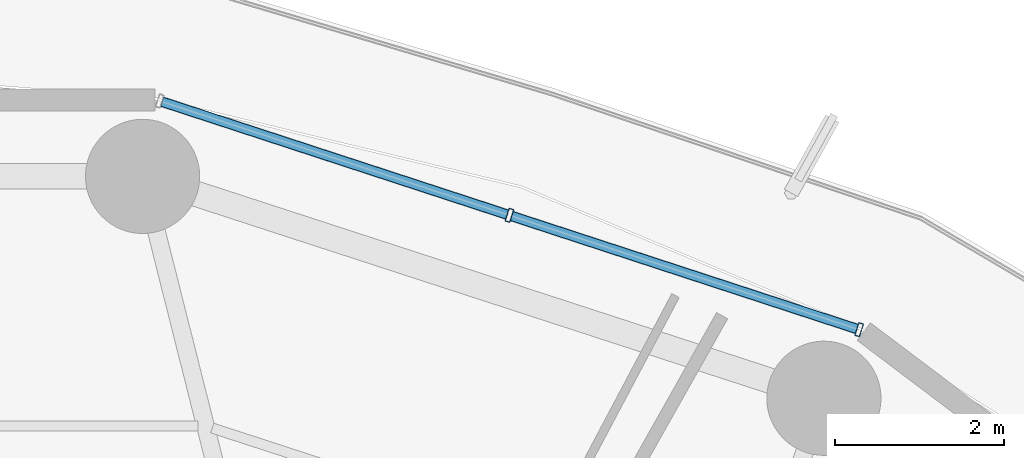
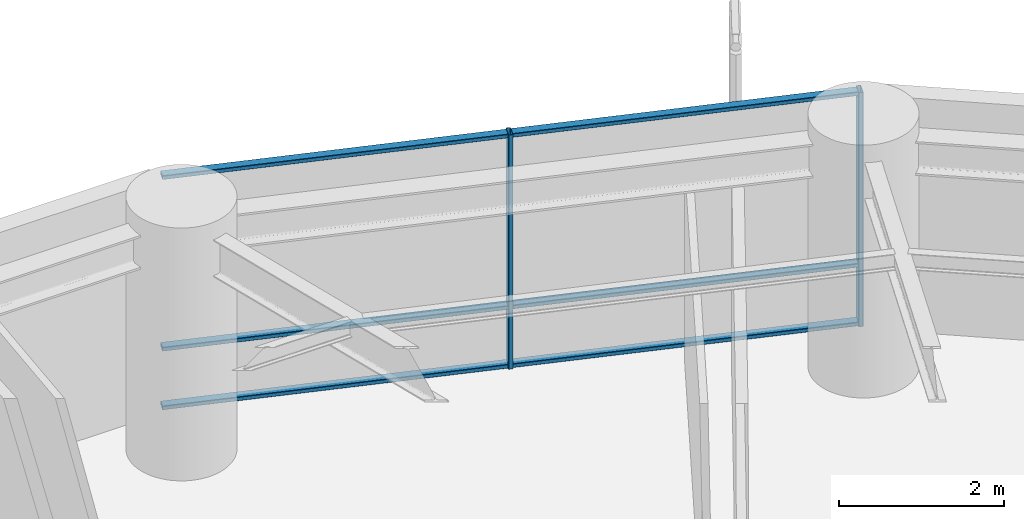
# One storey, part 25 of 37: 8 members, 1 element without a shape of its own.
"""IFC4 building model written with IfcOpenShell, lengths in metres."""

from ifc_helpers import new_model, si_unit, direction, frame, origin, origin_2d, place, context, subcontext, project, spatial, hollow_rectangle, extrude, material, layer, layer_set, material_profile, profile_set, type_object, element, aggregate, save


model = new_model("IFC4")

# Units and contexts
model_context = context("Model", 3, precision=1e-05, world=origin(), true_north=direction((0.0, 1.0)))
body_context = subcontext(model_context, "Body", "Model", "MODEL_VIEW")
ifc_project = project(units=[si_unit("LENGTHUNIT", "METRE"), si_unit("AREAUNIT", "SQUARE_METRE"), si_unit("VOLUMEUNIT", "CUBIC_METRE"), si_unit("PLANEANGLEUNIT", "RADIAN"), si_unit("MASSUNIT", "GRAM", prefix="KILO")], contexts=[model_context])

# Site, building, storey
site_placement = place(None, origin())
site = spatial("IfcSite", under=ifc_project, at=site_placement, CompositionType="ELEMENT")
building_placement = place(site_placement, origin())
building = spatial("IfcBuilding", under=site, at=building_placement, Name="Kelanora Arch Commons", CompositionType="ELEMENT")
storey_placement = place(building_placement, frame((0.0, 0.0, 110.10009765625)))
storey = spatial("IfcBuildingStorey", under=building, at=storey_placement, Name="L28", CompositionType="ELEMENT", Elevation=110.10009765625)

# Curtain wall, members
ifc_material_1 = material(Name="Terracotta ceramic-fritted low-E glass and aluminium", Category="masonry")
ifc_layer = layer(ifc_material_1, 0.159912109375)
ifc_layer_set = layer_set([ifc_layer], Name="Terracotta ceramic-fritted low-E glass and aluminium")
curtain_wall_type = type_object("IfcCurtainWallType", Name="CW-SYS-01", PredefinedType="NOTDEFINED", material=ifc_layer_set)
curtain_wall_placement = place(storey_placement, origin())
curtain_wall = element("IfcCurtainWall", 1, at=curtain_wall_placement, inside=storey, type_object=curtain_wall_type, Name="Unitised Curtain Wall L28-B03", PredefinedType="NOTDEFINED")
ifc_material_2 = material(Name="Powder-coated aluminium terracotta", Category="masonry")
ifc_material_profile_1 = material_profile(ifc_material_2, hollow_rectangle(XDim=0.159912109375, YDim=0.06005859375, WallThickness=0.0048828125, InnerFilletRadius=0.0048828125, OuterFilletRadius=0.010009765625, at=origin_2d()), Name="CWM160x60")
ifc_profile_set_1 = profile_set([ifc_material_profile_1], Name="Powder-coated aluminium terracotta")
member_type_1 = type_object("IfcMemberType", Name="CWM-STD", PredefinedType="MULLION", material=ifc_profile_set_1)
member_1_placement = place(storey_placement, frame((86.757080078125, 77.9326171875, 0.0), z_axis=(0.0, 0.0, 1.0), x_axis=(-0.31080470294, -0.950473795867, 0.0)))
member_1 = element("IfcMember", 2, at=member_1_placement, type_object=member_type_1, Name="CW-01 mullion 1", PredefinedType="MULLION", context=body_context, shape_type="SweptSolid", body=[
    extrude(hollow_rectangle(XDim=0.159912109375, YDim=0.06005859375, WallThickness=0.0048828125, InnerFilletRadius=0.0048828125, OuterFilletRadius=0.010009765625, at=origin_2d()), origin(), (0.0, 0.0, 1.0), 3.474853515625),
])
member_2_placement = place(storey_placement, frame((82.622802734375, 79.28466796875, 0.0), z_axis=(0.0, 0.0, 1.0), x_axis=(-0.31080470294, -0.950473795867, 0.0)))
member_2 = element("IfcMember", 3, at=member_2_placement, type_object=member_type_1, Name="CW-01 mullion 2", PredefinedType="MULLION", context=body_context, shape_type="SweptSolid", body=[
    extrude(hollow_rectangle(XDim=0.159912109375, YDim=0.06005859375, WallThickness=0.0048828125, InnerFilletRadius=0.0048828125, OuterFilletRadius=0.010009765625, at=origin_2d()), origin(), (0.0, 0.0, 1.0), 3.474853515625),
])
ifc_material_profile_2 = material_profile(ifc_material_2, hollow_rectangle(XDim=0.1201171875, YDim=0.06005859375, WallThickness=0.0048828125, InnerFilletRadius=0.0048828125, OuterFilletRadius=0.010009765625, at=origin_2d()), Name="CWT120x60")
ifc_profile_set_2 = profile_set([ifc_material_profile_2], Name="Powder-coated aluminium terracotta")
member_type_2 = type_object("IfcMemberType", Name="CWT-STD", PredefinedType="USERDEFINED", material=ifc_profile_set_2)
member_3_placement = place(storey_placement, frame((86.728759765625, 77.94189453125, 0.02978515625), z_axis=(-0.950466230394, 0.310827838008, 0.0), x_axis=(-0.310827838008, -0.950466230394, 0.0)))
member_3 = element("IfcMember", 4, at=member_3_placement, type_object=member_type_2, Name="CW-01 transom 1.1", ObjectType="TRANSOM", PredefinedType="USERDEFINED", context=body_context, shape_type="SweptSolid", body=[
    extrude(hollow_rectangle(XDim=0.1201171875, YDim=0.06005859375, WallThickness=0.0048828125, InnerFilletRadius=0.0048828125, OuterFilletRadius=0.010009765625, at=origin_2d()), origin(), (0.0, 0.0, 1.0), 4.2900390625),
])
member_4_placement = place(storey_placement, frame((86.728759765625, 77.94189453125, 0.89990234375), z_axis=(-0.950466230394, 0.310827838008, 0.0), x_axis=(-0.310827838008, -0.950466230394, 0.0)))
member_4 = element("IfcMember", 5, at=member_4_placement, type_object=member_type_2, Name="CW-01 transom 1.2", ObjectType="TRANSOM", PredefinedType="USERDEFINED", context=body_context, shape_type="SweptSolid", body=[
    extrude(hollow_rectangle(XDim=0.1201171875, YDim=0.06005859375, WallThickness=0.0048828125, InnerFilletRadius=0.0048828125, OuterFilletRadius=0.010009765625, at=origin_2d()), origin(), (0.0, 0.0, 1.0), 4.2900390625),
])
member_5_placement = place(storey_placement, frame((86.728759765625, 77.94189453125, 3.44482421875), z_axis=(-0.950466230394, 0.310827838008, 0.0), x_axis=(-0.310827838008, -0.950466230394, 0.0)))
member_5 = element("IfcMember", 6, at=member_5_placement, type_object=member_type_2, Name="CW-01 transom 1.3", ObjectType="TRANSOM", PredefinedType="USERDEFINED", context=body_context, shape_type="SweptSolid", body=[
    extrude(hollow_rectangle(XDim=0.1201171875, YDim=0.06005859375, WallThickness=0.0048828125, InnerFilletRadius=0.0048828125, OuterFilletRadius=0.010009765625, at=origin_2d()), origin(), (0.0, 0.0, 1.0), 4.2900390625),
])
member_6_placement = place(storey_placement, frame((82.59423828125, 79.2939453125, 0.02978515625), z_axis=(-0.950477544745, 0.31079323824, 0.0), x_axis=(-0.31079323824, -0.950477544745, 0.0)))
member_6 = element("IfcMember", 7, at=member_6_placement, type_object=member_type_2, Name="CW-01 transom 2.1", ObjectType="TRANSOM", PredefinedType="USERDEFINED", context=body_context, shape_type="SweptSolid", body=[
    extrude(hollow_rectangle(XDim=0.1201171875, YDim=0.06005859375, WallThickness=0.0048828125, InnerFilletRadius=0.0048828125, OuterFilletRadius=0.010009765625, at=origin_2d()), origin(), (0.0, 0.0, 1.0), 4.289794921875),
])
member_7_placement = place(storey_placement, frame((82.59423828125, 79.2939453125, 0.89990234375), z_axis=(-0.950477544745, 0.31079323824, 0.0), x_axis=(-0.31079323824, -0.950477544745, 0.0)))
member_7 = element("IfcMember", 8, at=member_7_placement, type_object=member_type_2, Name="CW-01 transom 2.2", ObjectType="TRANSOM", PredefinedType="USERDEFINED", context=body_context, shape_type="SweptSolid", body=[
    extrude(hollow_rectangle(XDim=0.1201171875, YDim=0.06005859375, WallThickness=0.0048828125, InnerFilletRadius=0.0048828125, OuterFilletRadius=0.010009765625, at=origin_2d()), origin(), (0.0, 0.0, 1.0), 4.289794921875),
])
member_8_placement = place(storey_placement, frame((82.59423828125, 79.2939453125, 3.44482421875), z_axis=(-0.950477544745, 0.31079323824, 0.0), x_axis=(-0.31079323824, -0.950477544745, 0.0)))
member_8 = element("IfcMember", 9, at=member_8_placement, type_object=member_type_2, Name="CW-01 transom 2.3", ObjectType="TRANSOM", PredefinedType="USERDEFINED", context=body_context, shape_type="SweptSolid", body=[
    extrude(hollow_rectangle(XDim=0.1201171875, YDim=0.06005859375, WallThickness=0.0048828125, InnerFilletRadius=0.0048828125, OuterFilletRadius=0.010009765625, at=origin_2d()), origin(), (0.0, 0.0, 1.0), 4.289794921875),
])
aggregate(curtain_wall, [member_1, member_2, member_3, member_4, member_5, member_6, member_7, member_8])

save(model, "model.ifc")
